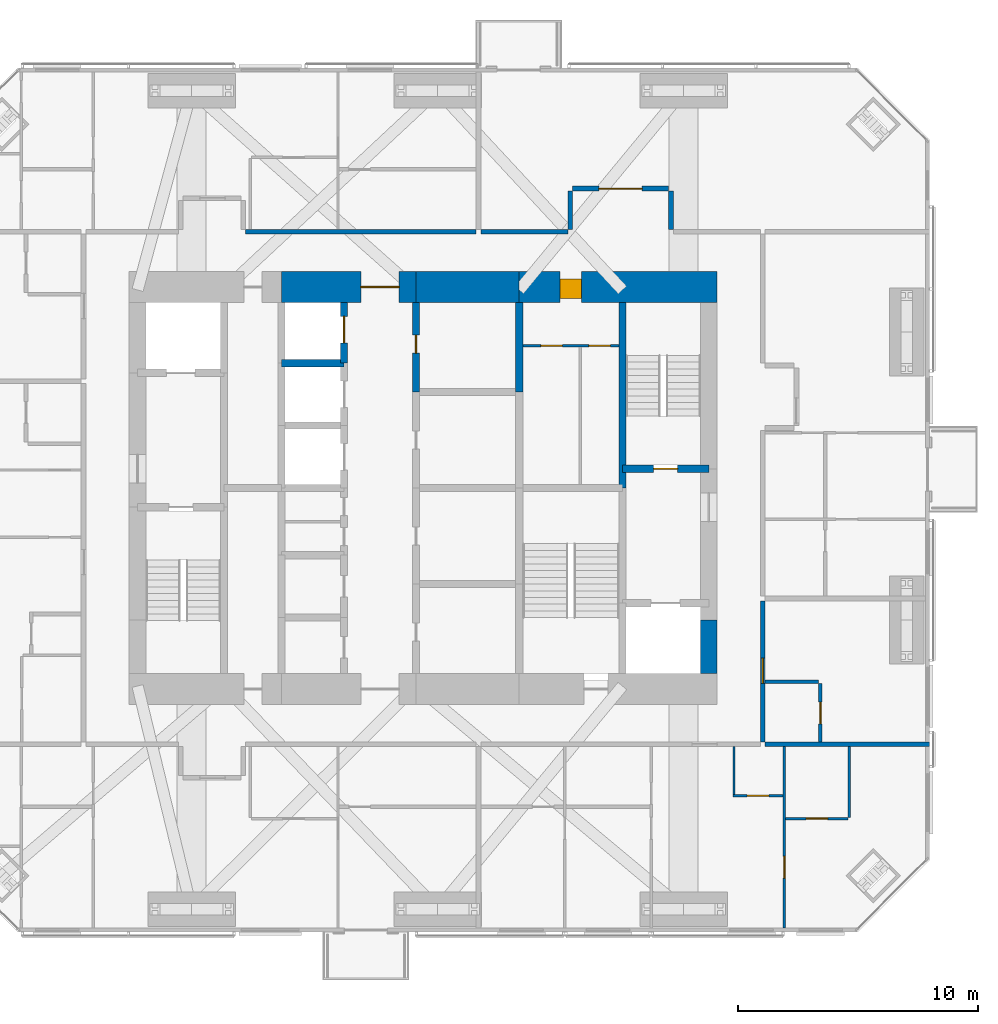
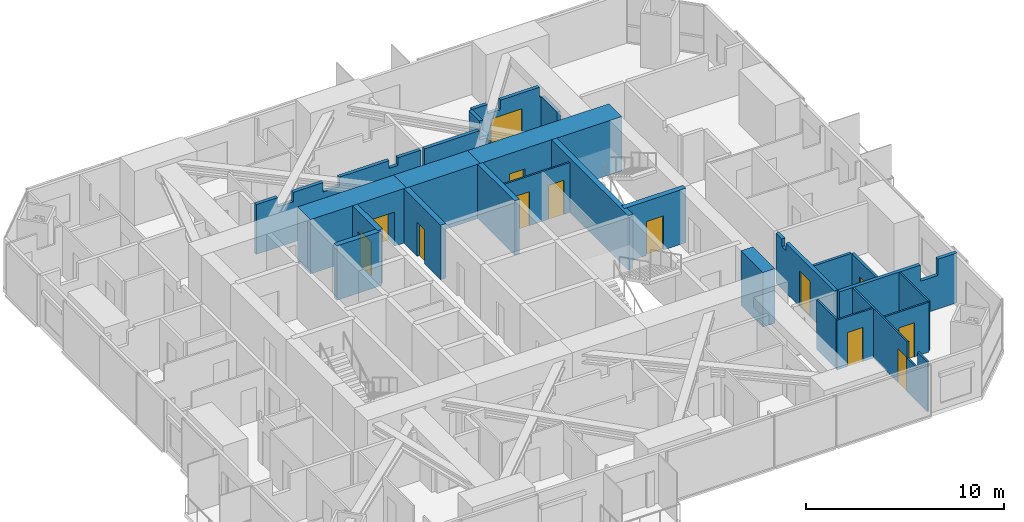
# One storey, part 19 of 22: 25 walls, 13 doors, 13 openings.
"""IFC4 building model written with IfcOpenShell, lengths in metres."""

from ifc_helpers import new_model, si_unit, direction, frame, frame_2d, origin, place, context, subcontext, project, spatial, polyline, rectangle, outline, extrude, material, layer, layer_set, constituent, constituent_set, type_object, element, fill, save


model = new_model("IFC4")

# Units and contexts
model_context = context("Model", 3, precision=1e-05, world=origin(), true_north=direction((0.0, 1.0)))
body_context = subcontext(model_context, "Body", "Model", "MODEL_VIEW")
ifc_project = project(units=[si_unit("LENGTHUNIT", "METRE"), si_unit("AREAUNIT", "SQUARE_METRE"), si_unit("VOLUMEUNIT", "CUBIC_METRE"), si_unit("PLANEANGLEUNIT", "RADIAN"), si_unit("MASSUNIT", "GRAM", prefix="KILO")], contexts=[model_context])

# Site, building, storey
site_placement = place(None, origin())
site = spatial("IfcSite", under=ifc_project, at=site_placement, CompositionType="ELEMENT")
building_placement = place(site_placement, origin())
building = spatial("IfcBuilding", under=site, at=building_placement, Name="Jalousie Tower", CompositionType="ELEMENT")
storey_placement = place(building_placement, frame((0.0, 0.0, 204.60009765625)))
storey = spatial("IfcBuildingStorey", under=building, at=storey_placement, Name="L56", CompositionType="ELEMENT", Elevation=204.60009765625)

# Wall, opening, door
ifc_material_1 = material(Name="Concrete block ASTM C90", Category="concrete")
ifc_constituent_1 = constituent(ifc_material_1, Name="Body")
ifc_material_2 = material(Name="Render")
ifc_constituent_2 = constituent(ifc_material_2, Name="Finish")
ifc_constituent_set_1 = constituent_set(constituents=[ifc_constituent_1, ifc_constituent_2])
wall_type_1 = type_object("IfcWallType", Name="BATHROOM WALL 150", PredefinedType="PLUMBINGWALL", material=ifc_constituent_set_1)
wall_1_placement = place(storey_placement, frame((48.449951171875, 7.925048828125, 0.0), z_axis=(0.0, 0.0, 1.0), x_axis=(0.0, 1.0, 0.0)))
wall_1 = element("IfcWall", 1, at=wall_1_placement, inside=storey, type_object=wall_type_1, Name="Bathroom Wall 150 L56", PredefinedType="PLUMBINGWALL", context=body_context, shape_type="SweptSolid", body=[
    extrude(rectangle(XDim=2.425048828125, YDim=0.14990234375, at=frame_2d((1.21240234375, 0.0))), origin(), (0.0, 0.0, 1.0), 3.06982421875),
])
opening_1_placement = place(wall_1_placement, frame((0.75, 0.0, 0.0)))
opening_1 = element("IfcOpeningElement", 2, at=opening_1_placement, cuts=wall_1, Name="Opening D3", PredefinedType="OPENING", context=body_context, shape_type="SweptSolid", body=[
    extrude(rectangle(XDim=0.89990234375, YDim=2.10009765625, at=frame_2d((0.449951171875, 1.050048828125))), frame((0.0, 0.0849609375, 0.0), z_axis=(0.0, -1.0, 0.0), x_axis=(1.0, 0.0, 0.0)), (0.0, 0.0, 1.0), 0.169921875),
])
ifc_material_3 = material(Name="Timber door", Category="wood")
door_type_1 = type_object("IfcDoorType", Name="BATHROOM DOOR 900", OperationType="SINGLE_SWING_LEFT", PredefinedType="DOOR", material=ifc_material_3)
door_1_placement = place(opening_1_placement, origin())
door_1 = element("IfcDoor", 3, at=door_1_placement, inside=storey, type_object=door_type_1, Name="Apartment 5606 bathroom door", OperationType="SINGLE_SWING_LEFT", OverallHeight=2.10009765625, OverallWidth=0.89990234375, PredefinedType="DOOR", context=body_context, shape_type="SweptSolid", body=[
    extrude(rectangle(XDim=0.89990234375, YDim=2.10009765625, at=frame_2d((0.449951171875, 1.050048828125))), frame((0.0, 0.02490234375, 0.0), z_axis=(0.0, -1.0, 0.0), x_axis=(1.0, 0.0, 0.0)), (0.0, 0.0, 1.0), 0.050048828125),
])
fill(opening_1, door_1)

# Wall
wall_2_placement = place(storey_placement, frame((48.375, 10.425048828125, 0.0), z_axis=(0.0, 0.0, 1.0), x_axis=(-1.0, 0.0, 0.0)))
element("IfcWall", 4, at=wall_2_placement, inside=storey, type_object=wall_type_1, Name="Bathroom Wall 150 L56", PredefinedType="PLUMBINGWALL", context=body_context, shape_type="SweptSolid", body=[
    extrude(rectangle(XDim=2.22509765625, YDim=0.14990234375, at=frame_2d((1.112548828125, 0.0))), origin(), (0.0, 0.0, 1.0), 3.06982421875),
])

# Wall, opening, door
ifc_material_4 = material(Name="Concrete f'c 120 MPa", Category="concrete")
ifc_layer_1 = layer(ifc_material_4, 1.300048828125)
ifc_layer_set_1 = layer_set([ifc_layer_1], Name="Concrete f'c 120 MPa")
wall_type_2 = type_object("IfcWallType", Name="CORE WALL 1300", PredefinedType="SHEAR", material=ifc_layer_set_1)
wall_3_placement = place(storey_placement, frame((44.14990234375, 26.875, 0.0), z_axis=(0.0, 0.0, 1.0), x_axis=(-1.0, 0.0, 0.0)))
wall_3 = element("IfcWall", 5, at=wall_3_placement, inside=storey, type_object=wall_type_2, Name="Core wall NA L56", PredefinedType="SHEAR", context=body_context, shape_type="SweptSolid", body=[
    extrude(rectangle(XDim=8.25, YDim=1.300048828125, at=frame_2d((4.125, 0.0))), origin(), (0.0, 0.0, 1.0), 3.349853515625),
])
opening_2_placement = place(wall_3_placement, frame((5.64990234375, 0.0, 0.0)))
opening_2 = element("IfcOpeningElement", 6, at=opening_2_placement, cuts=wall_3, Name="Opening D25", PredefinedType="OPENING", context=body_context, shape_type="SweptSolid", body=[
    extrude(rectangle(XDim=0.89990234375, YDim=2.10009765625, at=frame_2d((0.449951171875, 1.050048828125))), frame((0.0, 0.659912109375, 0.0), z_axis=(0.0, -1.0, 0.0), x_axis=(1.0, 0.0, 0.0)), (0.0, 0.0, 1.0), 1.320068359375),
])
ifc_material_5 = material(Name="Steel fire door", Category="steel")
door_type_2 = type_object("IfcDoorType", Name="SERVICE LOBBY DOOR 900", OperationType="SINGLE_SWING_LEFT", PredefinedType="DOOR", material=ifc_material_5)
door_2_placement = place(opening_2_placement, origin())
door_2 = element("IfcDoor", 7, at=door_2_placement, inside=storey, type_object=door_type_2, Name="Service lobby door", OperationType="SINGLE_SWING_RIGHT", OverallHeight=2.10009765625, OverallWidth=0.89990234375, PredefinedType="DOOR", context=body_context, shape_type="SweptSolid", body=[
    extrude(rectangle(XDim=0.89990234375, YDim=2.10009765625, at=frame_2d((0.449951171875, 1.050048828125))), frame((0.0, 0.47021484375, 0.0), z_axis=(0.0, -1.0, 0.0), x_axis=(1.0, 0.0, 0.0)), (0.0, 0.0, 1.0), 0.800048828125),
])
fill(opening_2, door_2)

# Wall
wall_4_placement = place(storey_placement, frame((35.89990234375, 26.875, 0.0), z_axis=(0.0, 0.0, 1.0), x_axis=(-1.0, 0.0, 0.0)))
element("IfcWall", 8, at=wall_4_placement, inside=storey, type_object=wall_type_2, Name="Core wall NB L56", PredefinedType="SHEAR", context=body_context, shape_type="SweptSolid", body=[
    extrude(rectangle(XDim=4.2998046875, YDim=1.300048828125, at=frame_2d((2.14990234375, 0.0))), origin(), (0.0, 0.0, 1.0), 3.349853515625),
])

# Wall, opening, door
wall_5_placement = place(storey_placement, frame((31.60009765625, 26.875, 0.0), z_axis=(0.0, 0.0, 1.0), x_axis=(-1.0, 0.0, 0.0)))
wall_5 = element("IfcWall", 9, at=wall_5_placement, inside=storey, type_object=wall_type_2, Name="Core wall NC L56", PredefinedType="SHEAR", context=body_context, shape_type="SweptSolid", body=[
    extrude(rectangle(XDim=5.60009765625, YDim=1.300048828125, at=frame_2d((2.800048828125, 0.0))), origin(), (0.0, 0.0, 1.0), 3.349853515625),
])
opening_3_placement = place(wall_5_placement, frame((0.699951171875, 0.0, 0.0)))
opening_3 = element("IfcOpeningElement", 10, at=opening_3_placement, cuts=wall_5, Name="Opening D15", PredefinedType="OPENING", context=body_context, shape_type="SweptSolid", body=[
    extrude(rectangle(XDim=1.60009765625, YDim=2.10009765625, at=frame_2d((0.800048828125, 1.050048828125))), frame((0.0, 0.659912109375, 0.0), z_axis=(0.0, -1.0, 0.0), x_axis=(1.0, 0.0, 0.0)), (0.0, 0.0, 1.0), 1.320068359375),
])
ifc_material_6 = material(Name="Steel fire door", Category="steel")
door_type_3 = type_object("IfcDoorType", Name="LIFT LOBBY DOOR 1600", OperationType="DOUBLE_DOOR_SINGLE_SWING", PredefinedType="DOOR", material=ifc_material_6)
door_3_placement = place(opening_3_placement, origin())
door_3 = element("IfcDoor", 11, at=door_3_placement, inside=storey, type_object=door_type_3, Name="Lift lobby north door", OperationType="DOUBLE_DOOR_SINGLE_SWING", OverallHeight=2.10009765625, OverallWidth=1.60009765625, PredefinedType="DOOR", context=body_context, shape_type="SweptSolid", body=[
    extrude(rectangle(XDim=1.60009765625, YDim=2.10009765625, at=frame_2d((0.800048828125, 1.050048828125))), frame((0.0, 0.02490234375, 0.0), z_axis=(0.0, -1.0, 0.0), x_axis=(1.0, 0.0, 0.0)), (0.0, 0.0, 1.0), 0.050048828125),
])
fill(opening_3, door_3)

ifc_material_7 = material(Name="Concrete f'c 120 MPa", Category="concrete")
ifc_layer_2 = layer(ifc_material_7, 0.300048828125)
ifc_layer_set_2 = layer_set([ifc_layer_2], Name="Concrete f'c 120 MPa")
wall_type_3 = type_object("IfcWallType", Name="CORE WALL 300", PredefinedType="SHEAR", material=ifc_layer_set_2)
wall_6_placement = place(storey_placement, frame((28.60009765625, 23.699951171875, 0.0), z_axis=(0.0, 0.0, 1.0), x_axis=(0.0, 1.0, 0.0)))
wall_6 = element("IfcWall", 12, at=wall_6_placement, inside=storey, type_object=wall_type_3, Name="Core wall X28.6F L56", PredefinedType="SHEAR", context=body_context, shape_type="SweptSolid", body=[
    extrude(rectangle(XDim=2.525146484375, YDim=0.300048828125, at=frame_2d((1.2626953125, 0.0))), origin(), (0.0, 0.0, 1.0), 3.349853515625),
])
opening_4_placement = place(wall_6_placement, frame((0.85009765625, 0.0, 0.0)))
opening_4 = element("IfcOpeningElement", 13, at=opening_4_placement, cuts=wall_6, Name="Opening LD1", PredefinedType="OPENING", context=body_context, shape_type="SweptSolid", body=[
    extrude(rectangle(XDim=1.10009765625, YDim=2.10009765625, at=frame_2d((0.550048828125, 1.050048828125))), frame((0.0, 0.159912109375, 0.0), z_axis=(0.0, -1.0, 0.0), x_axis=(1.0, 0.0, 0.0)), (0.0, 0.0, 1.0), 0.320068359375),
])
ifc_material_8 = material(Name="Steel lift landing door", Category="steel")
door_type_4 = type_object("IfcDoorType", Name="LIFT LANDING DOOR 1100", OperationType="SLIDING_TO_LEFT", PredefinedType="DOOR", material=ifc_material_8)
door_4_placement = place(opening_4_placement, origin())
door_4 = element("IfcDoor", 14, at=door_4_placement, inside=storey, type_object=door_type_4, Name="Lift P6 landing door", OperationType="SLIDING_TO_LEFT", OverallHeight=2.10009765625, OverallWidth=1.10009765625, PredefinedType="DOOR", context=body_context, shape_type="SweptSolid", body=[
    extrude(rectangle(XDim=1.10009765625, YDim=2.10009765625, at=frame_2d((0.550048828125, 1.050048828125))), frame((0.0, 0.02490234375, 0.0), z_axis=(0.0, -1.0, 0.0), x_axis=(1.0, 0.0, 0.0)), (0.0, 0.0, 1.0), 0.050048828125),
])
fill(opening_4, door_4)

wall_7_placement = place(storey_placement, frame((31.60009765625, 22.5, 0.0), z_axis=(0.0, 0.0, 1.0), x_axis=(0.0, 1.0, 0.0)))
wall_7 = element("IfcWall", 15, at=wall_7_placement, inside=storey, type_object=wall_type_3, Name="Core wall X31.6D L56", PredefinedType="SHEAR", context=body_context, shape_type="SweptSolid", body=[
    extrude(rectangle(XDim=3.72509765625, YDim=0.300048828125, at=frame_2d((1.862548828125, 0.0))), origin(), (0.0, 0.0, 1.0), 3.349853515625),
])
opening_5_placement = place(wall_7_placement, frame((1.625, 0.0, 0.0)))
opening_5 = element("IfcOpeningElement", 16, at=opening_5_placement, cuts=wall_7, Name="Opening D16", PredefinedType="OPENING", context=body_context, shape_type="SweptSolid", body=[
    extrude(rectangle(XDim=0.75, YDim=2.10009765625, at=frame_2d((0.375, 1.050048828125))), frame((0.0, 0.159912109375, 0.0), z_axis=(0.0, -1.0, 0.0), x_axis=(1.0, 0.0, 0.0)), (0.0, 0.0, 1.0), 0.320068359375),
])
ifc_material_9 = material(Name="Steel fire door", Category="steel")
door_type_5 = type_object("IfcDoorType", Name="RISER DOOR 750", OperationType="SINGLE_SWING_LEFT", PredefinedType="DOOR", material=ifc_material_9)
door_5_placement = place(opening_5_placement, frame((0.75, 0.0, 0.0), z_axis=(0.0, 0.0, 1.0), x_axis=(-1.0, 0.0, 0.0)))
door_5 = element("IfcDoor", 17, at=door_5_placement, inside=storey, type_object=door_type_5, Name="Water Services Room door", OperationType="SINGLE_SWING_LEFT", OverallHeight=2.10009765625, OverallWidth=0.75, PredefinedType="DOOR", context=body_context, shape_type="SweptSolid", body=[
    extrude(rectangle(XDim=0.75, YDim=2.10009765625, at=frame_2d((0.375, 1.050048828125))), frame((0.0, 0.02490234375, 0.0), z_axis=(0.0, -1.0, 0.0), x_axis=(1.0, 0.0, 0.0)), (0.0, 0.0, 1.0), 0.050048828125),
])
fill(opening_5, door_5)

# Walls
wall_8_placement = place(storey_placement, frame((35.89990234375, 22.5, 0.0), z_axis=(0.0, 0.0, 1.0), x_axis=(0.0, 1.0, 0.0)))
element("IfcWall", 18, at=wall_8_placement, inside=storey, type_object=wall_type_3, Name="Core wall X35.9D L56", PredefinedType="SHEAR", context=body_context, shape_type="SweptSolid", body=[
    extrude(rectangle(XDim=3.72509765625, YDim=0.300048828125, at=frame_2d((1.862548828125, 0.0))), origin(), (0.0, 0.0, 1.0), 3.349853515625),
])
wall_9_placement = place(storey_placement, frame((40.199951171875, 18.5, 0.0), z_axis=(0.0, 0.0, 1.0), x_axis=(0.0, 1.0, 0.0)))
element("IfcWall", 19, at=wall_9_placement, inside=storey, type_object=wall_type_3, Name="Core wall X40.2C L56", PredefinedType="SHEAR", context=body_context, shape_type="SweptSolid", body=[
    extrude(rectangle(XDim=7.72509765625, YDim=0.300048828125, at=frame_2d((3.862548828125, 0.0))), origin(), (0.0, 0.0, 1.0), 3.349853515625),
])
wall_10_placement = place(storey_placement, frame((26.0, 23.699951171875, 0.0), z_axis=(0.0, 0.0, 1.0), x_axis=(1.0, 0.0, 0.0)))
element("IfcWall", 20, at=wall_10_placement, inside=storey, type_object=wall_type_3, Name="Core wall Y26-23.7 L56", PredefinedType="SHEAR", context=body_context, shape_type="SweptSolid", body=[
    extrude(rectangle(XDim=2.60009765625, YDim=0.300048828125, at=frame_2d((1.300048828125, 0.0))), origin(), (0.0, 0.0, 1.0), 3.349853515625),
])

# Wall, opening, door
wall_11_placement = place(storey_placement, frame((40.199951171875, 19.300048828125, 0.0), z_axis=(0.0, 0.0, 1.0), x_axis=(1.0, 0.0, 0.0)))
wall_11 = element("IfcWall", 21, at=wall_11_placement, inside=storey, type_object=wall_type_3, Name="Core wall Y40.2-19.3 L56", PredefinedType="SHEAR", context=body_context, shape_type="SweptSolid", body=[
    extrude(rectangle(XDim=3.60009765625, YDim=0.300048828125, at=frame_2d((1.800048828125, 0.0))), origin(), (0.0, 0.0, 1.0), 3.349853515625),
])
opening_6_placement = place(wall_11_placement, frame((1.300048828125, 0.0, 0.0)))
opening_6 = element("IfcOpeningElement", 22, at=opening_6_placement, cuts=wall_11, Name="Opening D10", PredefinedType="OPENING", context=body_context, shape_type="SweptSolid", body=[
    extrude(rectangle(XDim=1.0, YDim=2.10009765625, at=frame_2d((0.5, 1.050048828125))), frame((0.0, 0.159912109375, 0.0), z_axis=(0.0, -1.0, 0.0), x_axis=(1.0, 0.0, 0.0)), (0.0, 0.0, 1.0), 0.320068359375),
])
ifc_material_10 = material(Name="Steel fire door", Category="steel")
door_type_6 = type_object("IfcDoorType", Name="STAIR DOOR 1000", OperationType="SINGLE_SWING_LEFT", PredefinedType="DOOR", material=ifc_material_10)
door_6_placement = place(opening_6_placement, origin())
door_6 = element("IfcDoor", 23, at=door_6_placement, inside=storey, type_object=door_type_6, Name="Exit stair B door", OperationType="SINGLE_SWING_RIGHT", OverallHeight=2.10009765625, OverallWidth=1.0, PredefinedType="DOOR", context=body_context, shape_type="SweptSolid", body=[
    extrude(rectangle(XDim=1.0, YDim=2.10009765625, at=frame_2d((0.5, 1.050048828125))), frame((0.0, 0.02490234375, 0.0), z_axis=(0.0, -1.0, 0.0), x_axis=(1.0, 0.0, 0.0)), (0.0, 0.0, 1.0), 0.050048828125),
])
fill(opening_6, door_6)

# Walls
ifc_material_11 = material(Name="Concrete f'c 120 MPa", Category="concrete")
ifc_layer_3 = layer(ifc_material_11, 0.699951171875)
ifc_layer_set_3 = layer_set([ifc_layer_3], Name="Concrete f'c 120 MPa")
wall_type_4 = type_object("IfcWallType", Name="CORE WALL 700", PredefinedType="SHEAR", material=ifc_layer_set_3)
wall_12_placement = place(storey_placement, frame((43.800048828125, 10.77490234375, 0.0), z_axis=(0.0, 0.0, 1.0), x_axis=(0.0, 1.0, 0.0)))
element("IfcWall", 24, at=wall_12_placement, inside=storey, type_object=wall_type_4, Name="Core wall EA L56", PredefinedType="SHEAR", context=body_context, shape_type="SweptSolid", body=[
    extrude(rectangle(XDim=2.22509765625, YDim=0.699951171875, at=frame_2d((1.112548828125, 0.0))), origin(), (0.0, 0.0, 1.0), 3.349853515625),
])
ifc_material_12 = material(Name="Concrete block ASTM C90", Category="concrete")
ifc_constituent_3 = constituent(ifc_material_12, Name="Body")
ifc_material_13 = material(Name="Render")
ifc_constituent_4 = constituent(ifc_material_13, Name="Finish")
ifc_constituent_set_2 = constituent_set(constituents=[ifc_constituent_3, ifc_constituent_4])
wall_type_5 = type_object("IfcWallType", Name="CORRIDOR WALL 200", PredefinedType="PARTITIONING", material=ifc_constituent_set_2)
wall_13_placement = place(storey_placement, frame((34.300048828125, 29.175048828125, 0.0), z_axis=(0.0, 0.0, 1.0), x_axis=(1.0, 0.0, 0.0)))
element("IfcWall", 25, at=wall_13_placement, inside=storey, type_object=wall_type_5, Name="Corridor Wall 200 L56", PredefinedType="PARTITIONING", context=body_context, shape_type="SweptSolid", body=[
    extrude(outline(polyline([(0.0, 0.0), (3.625, 0.0), (3.625, 2.49072265625), (3.212646484375, 2.49072265625), (3.212646484375, 3.06982421875), (0.0, 3.06982421875), (0.0, 0.0)])), frame((0.0, 0.10009765625, 0.0), z_axis=(0.0, -1.0, 0.0), x_axis=(1.0, 0.0, 0.0)), (0.0, 0.0, 1.0), 0.199951171875),
])

# Wall, opening, door
wall_14_placement = place(storey_placement, frame((46.050048828125, 7.925048828125, 0.0), z_axis=(0.0, 0.0, 1.0), x_axis=(0.0, 1.0, 0.0)))
wall_14 = element("IfcWall", 26, at=wall_14_placement, inside=storey, type_object=wall_type_5, Name="Corridor Wall 200 L56", PredefinedType="PARTITIONING", context=body_context, shape_type="SweptSolid", body=[
    extrude(outline(polyline([(0.0, 0.0), (5.875, 0.0), (5.875, 3.06982421875), (5.287109375, 3.06982421875), (5.287109375, 2.594970703125), (4.86279296875, 2.594970703125), (4.86279296875, 3.06982421875), (0.0, 3.06982421875), (0.0, 0.0)])), frame((0.0, 0.10009765625, 0.0), z_axis=(0.0, -1.0, 0.0), x_axis=(1.0, 0.0, 0.0)), (0.0, 0.0, 1.0), 0.199951171875),
])
opening_7_placement = place(wall_14_placement, frame((2.4375, 0.0, 0.0)))
opening_7 = element("IfcOpeningElement", 27, at=opening_7_placement, cuts=wall_14, Name="Opening D1", PredefinedType="OPENING", context=body_context, shape_type="SweptSolid", body=[
    extrude(rectangle(XDim=1.050048828125, YDim=2.199951171875, at=frame_2d((0.52490234375, 1.10009765625))), frame((0.0, 0.10986328125, 0.0), z_axis=(0.0, -1.0, 0.0), x_axis=(1.0, 0.0, 0.0)), (0.0, 0.0, 1.0), 0.219970703125),
])
ifc_material_14 = material(Name="Timber fire door", Category="wood")
door_type_7 = type_object("IfcDoorType", Name="APARTMENT ENTRANCE DOOR 1050", OperationType="SINGLE_SWING_LEFT", PredefinedType="DOOR", material=ifc_material_14)
door_7_placement = place(opening_7_placement, frame((1.050048828125, 0.0, 0.0), z_axis=(0.0, 0.0, 1.0), x_axis=(-1.0, 0.0, 0.0)))
door_7 = element("IfcDoor", 28, at=door_7_placement, inside=storey, type_object=door_type_7, Name="Apartment 5606 entrance", OperationType="SINGLE_SWING_LEFT", OverallHeight=2.199951171875, OverallWidth=1.050048828125, PredefinedType="DOOR", context=body_context, shape_type="SweptSolid", body=[
    extrude(rectangle(XDim=1.050048828125, YDim=2.199951171875, at=frame_2d((0.52490234375, 1.10009765625))), frame((0.0, 0.02490234375, 0.0), z_axis=(0.0, -1.0, 0.0), x_axis=(1.0, 0.0, 0.0)), (0.0, 0.0, 1.0), 0.050048828125),
])
fill(opening_7, door_7)

# Wall
wall_15_placement = place(storey_placement, frame((24.5, 29.175048828125, 0.0), z_axis=(0.0, 0.0, 1.0), x_axis=(1.0, 0.0, 0.0)))
element("IfcWall", 29, at=wall_15_placement, inside=storey, type_object=wall_type_5, Name="Corridor Wall 200 L56", PredefinedType="PARTITIONING", context=body_context, shape_type="SweptSolid", body=[
    extrude(outline(polyline([(0.0, 0.0), (9.60009765625, 0.0), (9.60009765625, 3.06982421875), (8.256591796875, 3.06982421875), (8.256591796875, 2.594970703125), (7.743408203125, 2.594970703125), (7.743408203125, 3.06982421875), (4.836669921875, 3.06982421875), (4.836669921875, 2.49072265625), (3.89990234375, 2.49072265625), (3.89990234375, 3.06982421875), (2.15380859375, 3.06982421875), (2.15380859375, 2.49072265625), (1.246826171875, 2.49072265625), (1.246826171875, 3.06982421875), (0.0, 3.06982421875), (0.0, 0.0)])), frame((0.0, 0.10009765625, 0.0), z_axis=(0.0, -1.0, 0.0), x_axis=(1.0, 0.0, 0.0)), (0.0, 0.0, 1.0), 0.199951171875),
])

# Wall, opening, door
wall_16_placement = place(storey_placement, frame((38.125, 30.97509765625, 0.0), z_axis=(0.0, 0.0, 1.0), x_axis=(1.0, 0.0, 0.0)))
wall_16 = element("IfcWall", 30, at=wall_16_placement, inside=storey, type_object=wall_type_5, Name="Corridor Wall 200 L56", PredefinedType="PARTITIONING", context=body_context, shape_type="SweptSolid", body=[
    extrude(outline(polyline([(0.0, 0.0), (4.0, 0.0), (4.0, 2.469970703125), (3.9150390625, 2.469970703125), (3.9150390625, 3.06982421875), (1.650634765625, 3.06982421875), (1.650634765625, 2.49072265625), (0.873046875, 2.49072265625), (0.873046875, 3.06982421875), (0.0, 3.06982421875), (0.0, 0.0)])), frame((0.0, 0.10009765625, 0.0), z_axis=(0.0, -1.0, 0.0), x_axis=(1.0, 0.0, 0.0)), (0.0, 0.0, 1.0), 0.199951171875),
])
opening_8_placement = place(wall_16_placement, frame((1.10009765625, 0.0, 0.0)))
opening_8 = element("IfcOpeningElement", 31, at=opening_8_placement, cuts=wall_16, Name="Opening D22", PredefinedType="OPENING", context=body_context, shape_type="SweptSolid", body=[
    extrude(rectangle(XDim=1.800048828125, YDim=2.10009765625, at=frame_2d((0.89990234375, 1.050048828125))), frame((0.0, 0.10986328125, 0.0), z_axis=(0.0, -1.0, 0.0), x_axis=(1.0, 0.0, 0.0)), (0.0, 0.0, 1.0), 0.219970703125),
])
ifc_material_15 = material(Name="Timber fire door", Category="wood")
door_type_8 = type_object("IfcDoorType", Name="CORRIDOR DOUBLE DOOR 1800", OperationType="DOUBLE_DOOR_SINGLE_SWING", PredefinedType="DOOR", material=ifc_material_15)
door_8_placement = place(opening_8_placement, origin())
door_8 = element("IfcDoor", 32, at=door_8_placement, inside=storey, type_object=door_type_8, Name="Residents' lounge door", OperationType="DOUBLE_DOOR_SINGLE_SWING", OverallHeight=2.10009765625, OverallWidth=1.800048828125, PredefinedType="DOOR", context=body_context, shape_type="SweptSolid", body=[
    extrude(rectangle(XDim=1.800048828125, YDim=2.10009765625, at=frame_2d((0.89990234375, 1.050048828125))), frame((0.0, 0.02490234375, 0.0), z_axis=(0.0, -1.0, 0.0), x_axis=(1.0, 0.0, 0.0)), (0.0, 0.0, 1.0), 0.050048828125),
])
fill(opening_8, door_8)

# Walls
wall_17_placement = place(storey_placement, frame((38.02490234375, 29.27490234375, 0.0), z_axis=(0.0, 0.0, 1.0), x_axis=(0.0, 1.0, 0.0)))
element("IfcWall", 33, at=wall_17_placement, inside=storey, type_object=wall_type_5, Name="Corridor Wall 200 L56", PredefinedType="PARTITIONING", context=body_context, shape_type="SweptSolid", body=[
    extrude(outline(polyline([(0.0, 0.0), (1.60009765625, 0.0), (1.60009765625, 3.06982421875), (0.5419921875, 3.06982421875), (0.5419921875, 2.49072265625), (0.0, 2.49072265625), (0.0, 0.0)])), frame((0.0, 0.10009765625, 0.0), z_axis=(0.0, -1.0, 0.0), x_axis=(1.0, 0.0, 0.0)), (0.0, 0.0, 1.0), 0.199951171875),
])
wall_18_placement = place(storey_placement, frame((42.22509765625, 29.27490234375, 0.0), z_axis=(0.0, 0.0, 1.0), x_axis=(0.0, 1.0, 0.0)))
element("IfcWall", 34, at=wall_18_placement, inside=storey, type_object=wall_type_5, Name="Corridor Wall 200 L56", PredefinedType="PARTITIONING", context=body_context, shape_type="SweptSolid", body=[
    extrude(outline(polyline([(0.0, 0.0), (1.60009765625, 0.0), (1.60009765625, 3.06982421875), (1.60009765625, 2.469970703125), (0.0, 2.469970703125), (0.0, 3.06982421875), (0.0, 0.0)])), frame((0.0, 0.10009765625, 0.0), z_axis=(0.0, -1.0, 0.0), x_axis=(1.0, 0.0, 0.0)), (0.0, 0.0, 1.0), 0.199951171875),
])

# Wall, opening, door
ifc_material_16 = material(Name="Gypsum board", Category="gypsum")
ifc_constituent_5 = constituent(ifc_material_16, Name="Body")
ifc_material_17 = material(Name="Light-gauge steel studs ASTM A653 SS Grade 33", Category="steel")
ifc_constituent_6 = constituent(ifc_material_17, Name="Framing")
ifc_constituent_set_3 = constituent_set(constituents=[ifc_constituent_5, ifc_constituent_6])
wall_type_6 = type_object("IfcWallType", Name="PARTITION 100", PredefinedType="PARTITIONING", material=ifc_constituent_set_3)
wall_19_placement = place(storey_placement, frame((46.949951171875, 0.175048828125, 0.0), z_axis=(0.0, 0.0, 1.0), x_axis=(0.0, 1.0, 0.0)))
wall_19 = element("IfcWall", 35, at=wall_19_placement, inside=storey, type_object=wall_type_6, Name="Partition 100 L56", PredefinedType="PARTITIONING", context=body_context, shape_type="SweptSolid", body=[
    extrude(outline(polyline([(0.0, 0.0), (7.550048828125, 0.0), (7.550048828125, 3.06982421875), (2.034912109375, 3.06982421875), (2.034912109375, 2.06982421875), (1.001708984375, 2.06982421875), (1.001708984375, 3.06982421875), (0.0, 3.06982421875), (0.0, 0.0)])), frame((0.0, 0.050048828125, 0.0), z_axis=(0.0, -1.0, 0.0), x_axis=(1.0, 0.0, 0.0)), (0.0, 0.0, 1.0), 0.10009765625),
])
opening_9_placement = place(wall_19_placement, frame((2.074951171875, 0.0, 0.0)))
opening_9 = element("IfcOpeningElement", 36, at=opening_9_placement, cuts=wall_19, Name="Opening D2", PredefinedType="OPENING", context=body_context, shape_type="SweptSolid", body=[
    extrude(rectangle(XDim=0.89990234375, YDim=2.10009765625, at=frame_2d((0.449951171875, 1.050048828125))), frame((0.0, 0.06005859375, 0.0), z_axis=(0.0, -1.0, 0.0), x_axis=(1.0, 0.0, 0.0)), (0.0, 0.0, 1.0), 0.1201171875),
])
ifc_material_18 = material(Name="Timber door", Category="wood")
door_type_9 = type_object("IfcDoorType", Name="BEDROOM DOOR 900", OperationType="SINGLE_SWING_LEFT", PredefinedType="DOOR", material=ifc_material_18)
door_9_placement = place(opening_9_placement, origin())
door_9 = element("IfcDoor", 37, at=door_9_placement, inside=storey, type_object=door_type_9, Name="Apartment 5602 study door", OperationType="SINGLE_SWING_LEFT", OverallHeight=2.10009765625, OverallWidth=0.89990234375, PredefinedType="DOOR", context=body_context, shape_type="SweptSolid", body=[
    extrude(rectangle(XDim=0.89990234375, YDim=2.10009765625, at=frame_2d((0.449951171875, 1.050048828125))), frame((0.0, 0.02490234375, 0.0), z_axis=(0.0, -1.0, 0.0), x_axis=(1.0, 0.0, 0.0)), (0.0, 0.0, 1.0), 0.050048828125),
])
fill(opening_9, door_9)

wall_20_placement = place(storey_placement, frame((47.0, 4.72509765625, 0.0), z_axis=(0.0, 0.0, 1.0), x_axis=(1.0, 0.0, 0.0)))
wall_20 = element("IfcWall", 38, at=wall_20_placement, inside=storey, type_object=wall_type_6, Name="Partition 100 L56", PredefinedType="PARTITIONING", context=body_context, shape_type="SweptSolid", body=[
    extrude(rectangle(XDim=2.60009765625, YDim=0.10009765625, at=frame_2d((1.300048828125, 0.0))), origin(), (0.0, 0.0, 1.0), 3.06982421875),
])
opening_10_placement = place(wall_20_placement, frame((0.85009765625, 0.0, 0.0)))
opening_10 = element("IfcOpeningElement", 39, at=opening_10_placement, cuts=wall_20, Name="Opening D7", PredefinedType="OPENING", context=body_context, shape_type="SweptSolid", body=[
    extrude(rectangle(XDim=0.89990234375, YDim=2.10009765625, at=frame_2d((0.449951171875, 1.050048828125))), frame((0.0, 0.06005859375, 0.0), z_axis=(0.0, -1.0, 0.0), x_axis=(1.0, 0.0, 0.0)), (0.0, 0.0, 1.0), 0.1201171875),
])
ifc_material_19 = material(Name="Timber door", Category="wood")
door_type_10 = type_object("IfcDoorType", Name="INTERNAL DOOR 900", OperationType="SINGLE_SWING_LEFT", PredefinedType="DOOR", material=ifc_material_19)
door_10_placement = place(opening_10_placement, frame((0.89990234375, 0.0, 0.0), z_axis=(0.0, 0.0, 1.0), x_axis=(-1.0, 0.0, 0.0)))
door_10 = element("IfcDoor", 40, at=door_10_placement, inside=storey, type_object=door_type_10, Name="Apartment 5602 kitchen door", OperationType="SINGLE_SWING_RIGHT", OverallHeight=2.10009765625, OverallWidth=0.89990234375, PredefinedType="DOOR", context=body_context, shape_type="SweptSolid", body=[
    extrude(rectangle(XDim=0.89990234375, YDim=2.10009765625, at=frame_2d((0.449951171875, 1.050048828125))), frame((0.0, 0.02490234375, 0.0), z_axis=(0.0, -1.0, 0.0), x_axis=(1.0, 0.0, 0.0)), (0.0, 0.0, 1.0), 0.050048828125),
])
fill(opening_10, door_10)

# Wall
wall_21_placement = place(storey_placement, frame((49.64990234375, 4.77490234375, 0.0), z_axis=(0.0, 0.0, 1.0), x_axis=(0.0, 1.0, 0.0)))
element("IfcWall", 41, at=wall_21_placement, inside=storey, type_object=wall_type_6, Name="Partition 100 L56", PredefinedType="PARTITIONING", context=body_context, shape_type="SweptSolid", body=[
    extrude(rectangle(XDim=2.9501953125, YDim=0.10009765625, at=frame_2d((1.47509765625, 0.0))), origin(), (0.0, 0.0, 1.0), 3.06982421875),
])

# Wall, opening, door
wall_22_placement = place(storey_placement, frame((46.89990234375, 5.675048828125, 0.0), z_axis=(0.0, 0.0, 1.0), x_axis=(-1.0, 0.0, 0.0)))
wall_22 = element("IfcWall", 42, at=wall_22_placement, inside=storey, type_object=wall_type_6, Name="Partition 100 L56", PredefinedType="PARTITIONING", context=body_context, shape_type="SweptSolid", body=[
    extrude(rectangle(XDim=2.099853515625, YDim=0.10009765625, at=frame_2d((1.0498046875, 0.0))), origin(), (0.0, 0.0, 1.0), 3.06982421875),
])
opening_11_placement = place(wall_22_placement, frame((0.60009765625, 0.0, 0.0)))
opening_11 = element("IfcOpeningElement", 43, at=opening_11_placement, cuts=wall_22, Name="Opening D7", PredefinedType="OPENING", context=body_context, shape_type="SweptSolid", body=[
    extrude(rectangle(XDim=0.89990234375, YDim=2.10009765625, at=frame_2d((0.449951171875, 1.050048828125))), frame((0.0, 0.06005859375, 0.0), z_axis=(0.0, -1.0, 0.0), x_axis=(1.0, 0.0, 0.0)), (0.0, 0.0, 1.0), 0.1201171875),
])
door_11_placement = place(opening_11_placement, origin())
door_11 = element("IfcDoor", 44, at=door_11_placement, inside=storey, type_object=door_type_10, Name="Apartment 5602 study store room door", OperationType="SINGLE_SWING_LEFT", OverallHeight=2.10009765625, OverallWidth=0.89990234375, PredefinedType="DOOR", context=body_context, shape_type="SweptSolid", body=[
    extrude(rectangle(XDim=0.89990234375, YDim=2.10009765625, at=frame_2d((0.449951171875, 1.050048828125))), frame((0.0, 0.02490234375, 0.0), z_axis=(0.0, -1.0, 0.0), x_axis=(1.0, 0.0, 0.0)), (0.0, 0.0, 1.0), 0.050048828125),
])
fill(opening_11, door_11)

# Wall
wall_23_placement = place(storey_placement, frame((44.85009765625, 7.72509765625, 0.0), z_axis=(0.0, 0.0, 1.0), x_axis=(0.0, -1.0, 0.0)))
element("IfcWall", 45, at=wall_23_placement, inside=storey, type_object=wall_type_6, Name="Partition 100 L56", PredefinedType="PARTITIONING", context=body_context, shape_type="SweptSolid", body=[
    extrude(rectangle(XDim=2.0, YDim=0.10009765625, at=frame_2d((1.0, 0.0))), origin(), (0.0, 0.0, 1.0), 3.06982421875),
])

# Wall, openings, doors
wall_24_placement = place(storey_placement, frame((36.050048828125, 24.425048828125, 0.0), z_axis=(0.0, 0.0, 1.0), x_axis=(1.0, 0.0, 0.0)))
wall_24 = element("IfcWall", 46, at=wall_24_placement, inside=storey, type_object=wall_type_6, Name="Partition 100 L56", PredefinedType="PARTITIONING", context=body_context, shape_type="SweptSolid", body=[
    extrude(rectangle(XDim=4.0, YDim=0.10009765625, at=frame_2d((2.0, 0.0))), origin(), (0.0, 0.0, 1.0), 3.06982421875),
])
opening_12_placement = place(wall_24_placement, frame((0.75, 0.0, 0.0)))
opening_12 = element("IfcOpeningElement", 47, at=opening_12_placement, cuts=wall_24, Name="Opening D7", PredefinedType="OPENING", context=body_context, shape_type="SweptSolid", body=[
    extrude(rectangle(XDim=0.89990234375, YDim=2.10009765625, at=frame_2d((0.449951171875, 1.050048828125))), frame((0.0, 0.06005859375, 0.0), z_axis=(0.0, -1.0, 0.0), x_axis=(1.0, 0.0, 0.0)), (0.0, 0.0, 1.0), 0.1201171875),
])
opening_13_placement = place(wall_24_placement, frame((2.75, 0.0, 0.0)))
opening_13 = element("IfcOpeningElement", 48, at=opening_13_placement, cuts=wall_24, Name="Opening D7", PredefinedType="OPENING", context=body_context, shape_type="SweptSolid", body=[
    extrude(rectangle(XDim=0.89990234375, YDim=2.10009765625, at=frame_2d((0.449951171875, 1.050048828125))), frame((0.0, 0.06005859375, 0.0), z_axis=(0.0, -1.0, 0.0), x_axis=(1.0, 0.0, 0.0)), (0.0, 0.0, 1.0), 0.1201171875),
])
door_12_placement = place(opening_12_placement, frame((0.89990234375, 0.0, 0.0), z_axis=(0.0, 0.0, 1.0), x_axis=(-1.0, 0.0, 0.0)))
door_12 = element("IfcDoor", 49, at=door_12_placement, inside=storey, type_object=door_type_10, Name="IT room door", OperationType="SINGLE_SWING_LEFT", OverallHeight=2.10009765625, OverallWidth=0.89990234375, PredefinedType="DOOR", context=body_context, shape_type="SweptSolid", body=[
    extrude(rectangle(XDim=0.89990234375, YDim=2.10009765625, at=frame_2d((0.449951171875, 1.050048828125))), frame((0.0, 0.02490234375, 0.0), z_axis=(0.0, -1.0, 0.0), x_axis=(1.0, 0.0, 0.0)), (0.0, 0.0, 1.0), 0.050048828125),
])
fill(opening_12, door_12)
door_13_placement = place(opening_13_placement, frame((0.89990234375, 0.0, 0.0), z_axis=(0.0, 0.0, 1.0), x_axis=(-1.0, 0.0, 0.0)))
door_13 = element("IfcDoor", 50, at=door_13_placement, inside=storey, type_object=door_type_10, Name="Staff WC door", OperationType="SINGLE_SWING_RIGHT", OverallHeight=2.10009765625, OverallWidth=0.89990234375, PredefinedType="DOOR", context=body_context, shape_type="SweptSolid", body=[
    extrude(rectangle(XDim=0.89990234375, YDim=2.10009765625, at=frame_2d((0.449951171875, 1.050048828125))), frame((0.0, 0.02490234375, 0.0), z_axis=(0.0, -1.0, 0.0), x_axis=(1.0, 0.0, 0.0)), (0.0, 0.0, 1.0), 0.050048828125),
])
fill(opening_13, door_13)

# Wall
ifc_material_20 = material(Name="Concrete block ASTM C90", Category="concrete")
ifc_constituent_7 = constituent(ifc_material_20, Name="Body")
ifc_material_21 = material(Name="Render")
ifc_constituent_8 = constituent(ifc_material_21, Name="Finish")
ifc_constituent_set_4 = constituent_set(constituents=[ifc_constituent_7, ifc_constituent_8])
wall_type_7 = type_object("IfcWallType", Name="PARTY WALL 200", PredefinedType="PARTITIONING", material=ifc_constituent_set_4)
wall_25_placement = place(storey_placement, frame((46.14990234375, 7.824951171875, 0.0), z_axis=(0.0, 0.0, 1.0), x_axis=(1.0, 0.0, 0.0)))
element("IfcWall", 51, at=wall_25_placement, inside=storey, type_object=wall_type_7, Name="Party Wall 200 L56", PredefinedType="PARTITIONING", context=body_context, shape_type="SweptSolid", body=[
    extrude(outline(polyline([(0.0, 0.0), (6.85009765625, 0.0), (6.85009765625, 3.06982421875), (5.738037109375, 3.06982421875), (5.738037109375, 2.06982421875), (4.703125, 2.06982421875), (4.703125, 3.06982421875), (0.0, 3.06982421875), (0.0, 0.0)])), frame((0.0, 0.10009765625, 0.0), z_axis=(0.0, -1.0, 0.0), x_axis=(1.0, 0.0, 0.0)), (0.0, 0.0, 1.0), 0.199951171875),
])

save(model, "model.ifc")
